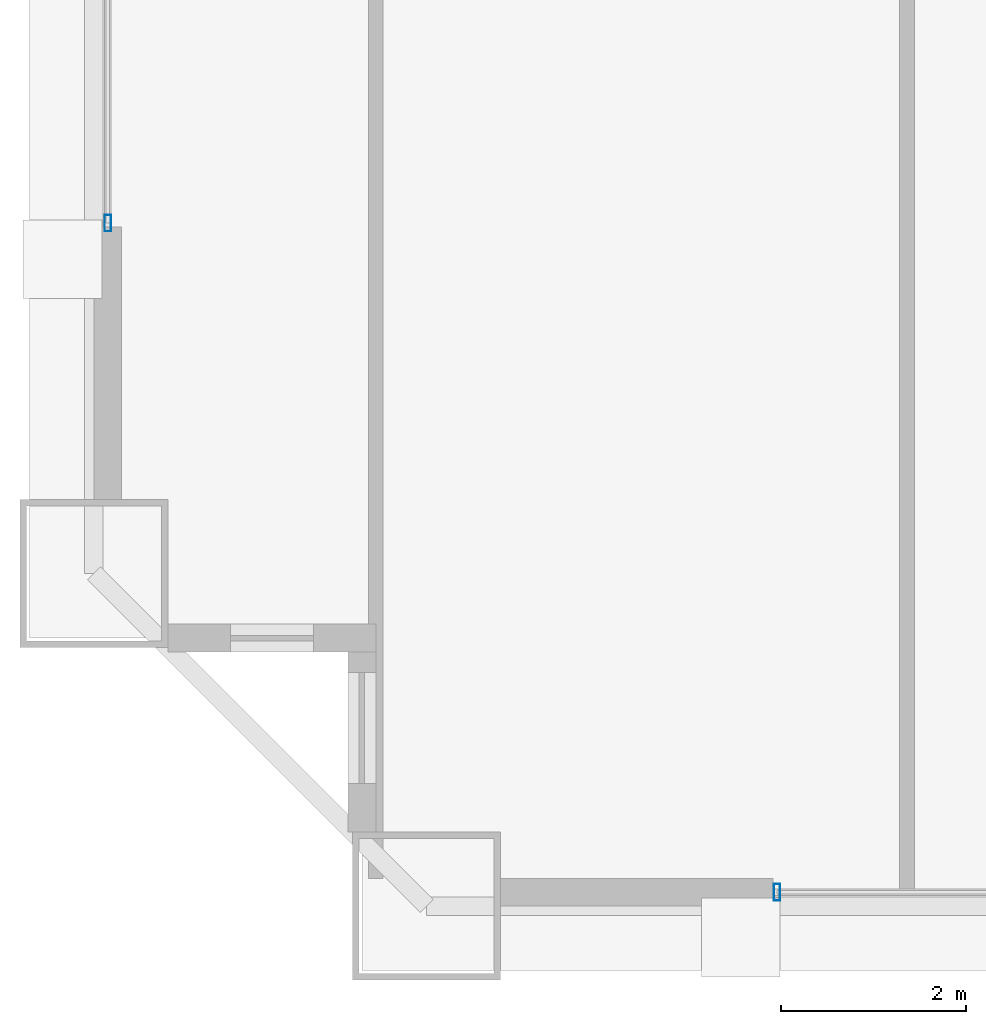
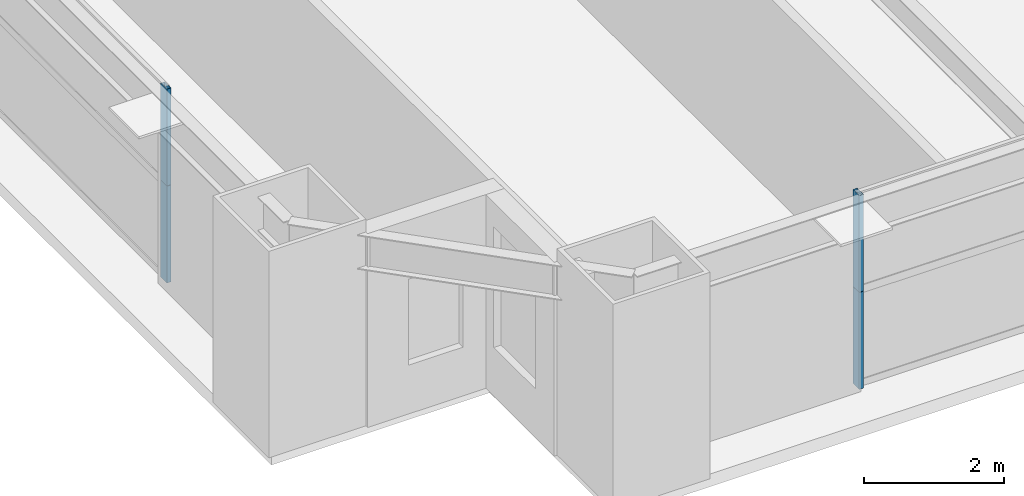
# One storey, part 4 of 39: 4 members, 2 elements without a shape of their own.
"""IFC4 building model written with IfcOpenShell, lengths in metres."""

from ifc_helpers import new_model, si_unit, direction, frame, origin, origin_2d, place, context, subcontext, project, spatial, hollow_rectangle, extrude, source, transform, mapped, material, layer, layer_set, material_profile, profile_set, type_object, element, aggregate, save


model = new_model("IFC4")

# Units and contexts
model_context = context("Model", 3, precision=1e-05, world=origin(), true_north=direction((0.0, 1.0)))
body_context = subcontext(model_context, "Body", "Model", "MODEL_VIEW")
ifc_project = project(units=[si_unit("LENGTHUNIT", "METRE"), si_unit("AREAUNIT", "SQUARE_METRE"), si_unit("VOLUMEUNIT", "CUBIC_METRE"), si_unit("PLANEANGLEUNIT", "RADIAN"), si_unit("MASSUNIT", "GRAM", prefix="KILO"), si_unit("THERMODYNAMICTEMPERATUREUNIT", "KELVIN"), si_unit("POWERUNIT", "WATT")], contexts=[model_context])

# Site, building, storey
site_placement = place(None, origin())
site = spatial("IfcSite", under=ifc_project, at=site_placement, CompositionType="ELEMENT")
building_placement = place(site_placement, origin())
building = spatial("IfcBuilding", under=site, at=building_placement, Name="Yuzanri Waterfront Tower", CompositionType="ELEMENT")
storey_placement = place(building_placement, frame((0.0, 0.0, 148.800048828125)))
storey = spatial("IfcBuildingStorey", under=building, at=storey_placement, Name="L39", CompositionType="ELEMENT", Elevation=148.800048828125)

# Curtain wall, members
ifc_material_1 = material(Name="Anodized Architectural Bronze", Category="metal")
ifc_layer = layer(ifc_material_1, 0.159912109375)
ifc_layer_set = layer_set([ifc_layer], Name="Anodized Architectural Bronze")
curtain_wall_type = type_object("IfcCurtainWallType", Name="Anodized Bronze Hotel Upper-Tier Solar-Control Unitized Curtain Wall 7800", PredefinedType="NOTDEFINED", material=ifc_layer_set)
curtain_wall_1_placement = place(storey_placement, origin())
curtain_wall_1 = element("IfcCurtainWall", 1, at=curtain_wall_1_placement, inside=storey, type_object=curtain_wall_type, Name="L39 Curtain Wall CW-L39-SL", PredefinedType="NOTDEFINED")
ifc_material_2 = material(Name="Anodized Architectural Bronze", Category="metal")
ifc_material_profile = material_profile(ifc_material_2, hollow_rectangle(XDim=0.070068359375, YDim=0.179931640625, WallThickness=0.00390625, at=origin_2d()), Name="CWM 70x180")
ifc_profile_set = profile_set([ifc_material_profile], Name="Anodized Architectural Bronze")
member_type = type_object("IfcMemberType", Name="Anodized Bronze Standard Curtain-Wall Mullion 70x180", PredefinedType="MULLION", material=ifc_profile_set)
shared_shape = source(origin(), body_context, "Body", "SweptSolid", [
    extrude(hollow_rectangle(XDim=0.070068359375, YDim=0.179931640625, WallThickness=0.00390625, at=origin_2d()), origin(), (0.0, 0.0, 1.0), 1.68798828125),
])
member_1_placement = place(storey_placement, frame((20.7900390625, 2.35009765625, 0.0), z_axis=(0.0, 0.0, 1.0), x_axis=(1.0, 0.0, 0.0)))
member_1 = element("IfcMember", 2, at=member_1_placement, type_object=member_type, Name="CW-L39-SL Lower Mullion 00", PredefinedType="MULLION", context=body_context, shape_type="MappedRepresentation", body=[
    mapped(shared_shape, transform((0.0, 0.0, 0.0), scale=1.0)),
])
member_2_placement = place(storey_placement, frame((20.7900390625, 2.35009765625, 1.69189453125), z_axis=(0.0, 0.0, 1.0), x_axis=(1.0, 0.0, 0.0)))
member_2 = element("IfcMember", 3, at=member_2_placement, type_object=member_type, Name="CW-L39-SL Upper Mullion 00", PredefinedType="MULLION", context=body_context, shape_type="MappedRepresentation", body=[
    mapped(shared_shape, transform((0.0, 0.0, 0.0), scale=1.0)),
])
aggregate(curtain_wall_1, [member_1, member_2])

curtain_wall_2_placement = place(storey_placement, origin())
curtain_wall_2 = element("IfcCurtainWall", 4, at=curtain_wall_2_placement, inside=storey, type_object=curtain_wall_type, Name="L39 Curtain Wall CW-L39-WL", PredefinedType="NOTDEFINED")
member_3_placement = place(storey_placement, frame((13.550048828125, 9.590087890625, 0.0), z_axis=(0.0, 0.0, 1.0), x_axis=(1.0, 0.0, 0.0)))
member_3 = element("IfcMember", 5, at=member_3_placement, type_object=member_type, Name="CW-L39-WL Lower Mullion 00", PredefinedType="MULLION", context=body_context, shape_type="MappedRepresentation", body=[
    mapped(shared_shape, transform((0.0, 0.0, 0.0), scale=1.0)),
])
member_4_placement = place(storey_placement, frame((13.550048828125, 9.590087890625, 1.69189453125), z_axis=(0.0, 0.0, 1.0), x_axis=(1.0, 0.0, 0.0)))
member_4 = element("IfcMember", 6, at=member_4_placement, type_object=member_type, Name="CW-L39-WL Upper Mullion 00", PredefinedType="MULLION", context=body_context, shape_type="MappedRepresentation", body=[
    mapped(shared_shape, transform((0.0, 0.0, 0.0), scale=1.0)),
])
aggregate(curtain_wall_2, [member_3, member_4])

save(model, "model.ifc")
